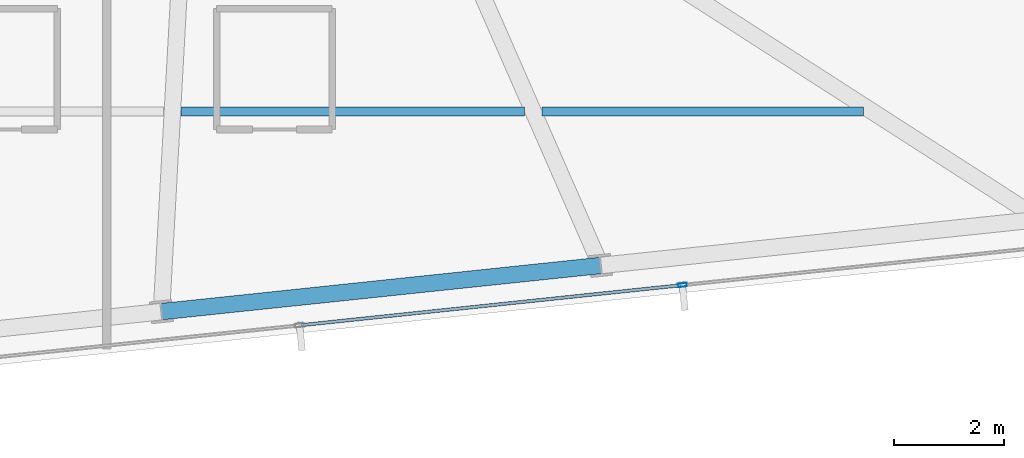
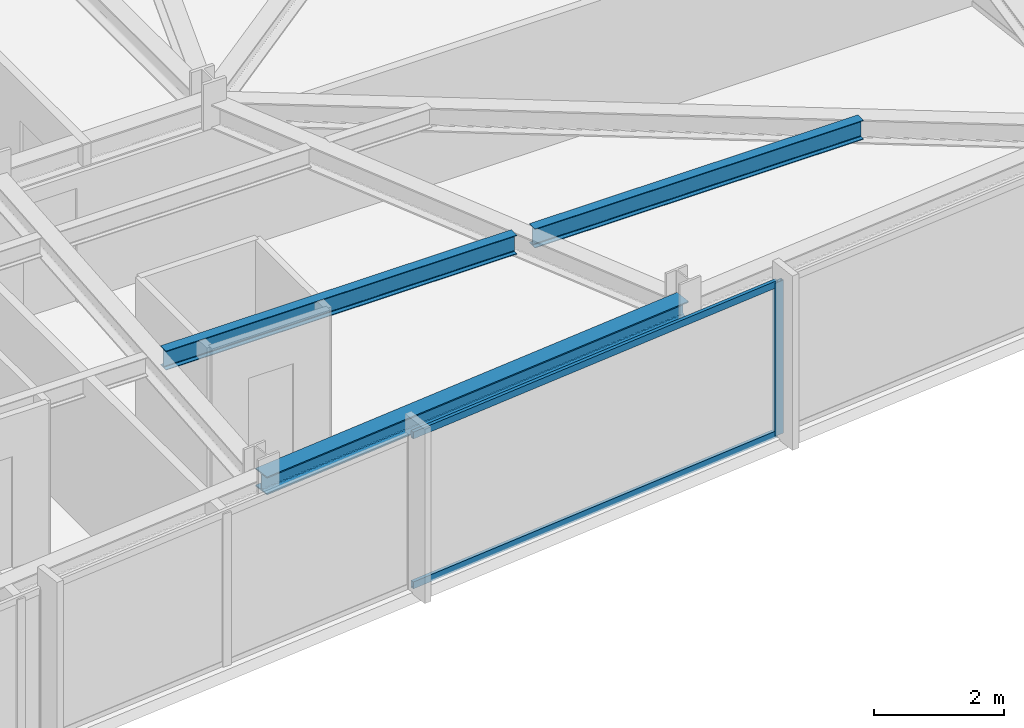
# One storey, part 15 of 33: 3 beams, 3 members, 1 element without a shape of its own.
"""IFC4 building model written with IfcOpenShell, lengths in metres."""

from ifc_helpers import new_model, si_unit, direction, frame, origin, origin_2d, place, context, subcontext, project, spatial, hollow_rectangle, i_section, extrude, material, material_profile, profile_set, type_object, element, aggregate, save


model = new_model("IFC4")

# Units and contexts
model_context = context("Model", 3, precision=1e-05, world=origin(), true_north=direction((0.0, 1.0)))
body_context = subcontext(model_context, "Body", "Model", "MODEL_VIEW")
ifc_project = project(units=[si_unit("LENGTHUNIT", "METRE"), si_unit("AREAUNIT", "SQUARE_METRE"), si_unit("VOLUMEUNIT", "CUBIC_METRE"), si_unit("PLANEANGLEUNIT", "RADIAN"), si_unit("MASSUNIT", "GRAM", prefix="KILO")], contexts=[model_context])

# Site, building, storey
site_placement = place(None, origin())
site = spatial("IfcSite", under=ifc_project, at=site_placement, CompositionType="ELEMENT")
building_placement = place(site_placement, origin())
building = spatial("IfcBuilding", under=site, at=building_placement, Name="Yelkora Congress Tower", CompositionType="ELEMENT")
storey_placement = place(building_placement, frame((0.0, 0.0, 244.10009765625)))
storey = spatial("IfcBuildingStorey", under=building, at=storey_placement, Name="L68", CompositionType="ELEMENT", Elevation=244.10009765625)

# Beams
ifc_material_1 = material(Name="Steel S355J2", Category="steel")
ifc_material_profile_1 = material_profile(ifc_material_1, i_section(OverallWidth=0.169921875, OverallDepth=0.360107421875, WebThickness=0.008056640625, FlangeThickness=0.0126953125, FilletRadius=0.01806640625, at=origin_2d()), Name="IPE 360")
ifc_profile_set_1 = profile_set([ifc_material_profile_1], Name="Steel S355J2")
beam_type_1 = type_object("IfcBeamType", Name="BM-JOIST-IPE360", PredefinedType="JOIST", material=ifc_profile_set_1)
beam_1_placement = place(storey_placement, frame((53.616455078125, 19.678466796875, 2.699951171875), z_axis=(1.0, 0.0, 0.0), x_axis=(0.0, 1.0, 0.0)))
element("IfcBeam", 1, at=beam_1_placement, inside=storey, type_object=beam_type_1, Name="L68 Composite Floor Joist 7", PredefinedType="JOIST", context=body_context, shape_type="SweptSolid", body=[
    extrude(i_section(OverallWidth=0.169921875, OverallDepth=0.360107421875, WebThickness=0.008056640625, FlangeThickness=0.0126953125, FilletRadius=0.01806640625, at=origin_2d()), origin(), (0.0, 0.0, 1.0), 6.2421875),
])
beam_2_placement = place(storey_placement, frame((60.1787109375, 19.678466796875, 2.699951171875), z_axis=(1.0, 0.0, 0.0), x_axis=(0.0, 1.0, 0.0)))
element("IfcBeam", 2, at=beam_2_placement, inside=storey, type_object=beam_type_1, Name="L68 Composite Floor Joist 8", PredefinedType="JOIST", context=body_context, shape_type="SweptSolid", body=[
    extrude(i_section(OverallWidth=0.169921875, OverallDepth=0.360107421875, WebThickness=0.008056640625, FlangeThickness=0.0126953125, FilletRadius=0.01806640625, at=origin_2d()), origin(), (0.0, 0.0, 1.0), 5.84619140625),
])
ifc_material_profile_2 = material_profile(ifc_material_1, i_section(OverallWidth=0.300048828125, OverallDepth=0.340087890625, WebThickness=0.011962890625, FlangeThickness=0.021484375, FilletRadius=0.027099609375, at=origin_2d()), Name="HEB 340")
ifc_profile_set_2 = profile_set([ifc_material_profile_2], Name="Steel S355J2")
beam_type_2 = type_object("IfcBeamType", Name="BM-SPAN-HEB340", PredefinedType="SPANDREL", material=ifc_profile_set_2)
beam_3_placement = place(storey_placement, frame((53.25634765625, 16.037353515625, 2.7099609375), z_axis=(0.994520097542, 0.104545567032, 0.0), x_axis=(-0.104545567032, 0.994520097542, 0.0)))
element("IfcBeam", 3, at=beam_3_placement, inside=storey, type_object=beam_type_2, Name="L68 Perimeter Beam 7", PredefinedType="SPANDREL", context=body_context, shape_type="SweptSolid", body=[
    extrude(i_section(OverallWidth=0.300048828125, OverallDepth=0.340087890625, WebThickness=0.011962890625, FlangeThickness=0.021484375, FilletRadius=0.027099609375, at=origin_2d()), origin(), (0.0, 0.0, 1.0), 8.033203125),
])

# Curtain wall, members
ifc_material_2 = material(Name="Anodised aluminium and insulated glass", Category="aluminium")
curtain_wall_type = type_object("IfcCurtainWallType", Name="CW-SYS-B4", PredefinedType="NOTDEFINED", material=ifc_material_2)
curtain_wall_placement = place(storey_placement, origin())
curtain_wall = element("IfcCurtainWall", 4, at=curtain_wall_placement, inside=storey, type_object=curtain_wall_type, Name="L68 Unitised Curtain Wall 20", PredefinedType="NOTDEFINED")
ifc_material_3 = material(Name="Anodised aluminium 6063-T6", Category="aluminium")
ifc_material_profile_3 = material_profile(ifc_material_3, hollow_rectangle(XDim=0.06494140625, YDim=0.159912109375, WallThickness=0.00390625, at=origin_2d()), Name="ALU 65x160x4")
ifc_profile_set_3 = profile_set([ifc_material_profile_3], Name="Anodised aluminium 6063-T6")
member_type_1 = type_object("IfcMemberType", Name="MEM-ML-B4", PredefinedType="MULLION", material=ifc_profile_set_3)
member_1_placement = place(storey_placement, frame((62.731689453125, 16.5205078125, 0.0), z_axis=(0.0, 0.0, 1.0), x_axis=(0.104526664994, -0.994522084373, 0.0)))
member_1 = element("IfcMember", 5, at=member_1_placement, type_object=member_type_1, Name="CW-B4 mullion 2", PredefinedType="MULLION", context=body_context, shape_type="SweptSolid", body=[
    extrude(hollow_rectangle(XDim=0.06494140625, YDim=0.159912109375, WallThickness=0.00390625, at=origin_2d()), origin(), (0.0, 0.0, 1.0), 2.8798828125),
])
ifc_material_profile_4 = material_profile(ifc_material_3, hollow_rectangle(XDim=0.06005859375, YDim=0.1298828125, WallThickness=0.00390625, at=origin_2d()), Name="ALU 60x130x4")
ifc_profile_set_4 = profile_set([ifc_material_profile_4], Name="Anodised aluminium 6063-T6")
member_type_2 = type_object("IfcMemberType", Name="MEM-TR-B4", PredefinedType="USERDEFINED", material=ifc_profile_set_4)
member_2_placement = place(storey_placement, frame((62.69921875, 16.51708984375, 0.02978515625), z_axis=(-0.994519904787, -0.104547400648, 0.0), x_axis=(0.104547400648, -0.994519904787, 0.0)))
member_2 = element("IfcMember", 6, at=member_2_placement, type_object=member_type_2, Name="CW-B4 transom 2.1", ObjectType="TRANSOM", PredefinedType="USERDEFINED", context=body_context, shape_type="SweptSolid", body=[
    extrude(hollow_rectangle(XDim=0.06005859375, YDim=0.1298828125, WallThickness=0.00390625, at=origin_2d()), origin(), (0.0, 0.0, 1.0), 6.93798828125),
])
member_3_placement = place(storey_placement, frame((62.69921875, 16.51708984375, 2.849853515625), z_axis=(-0.994519904787, -0.104547400648, 0.0), x_axis=(0.104547400648, -0.994519904787, 0.0)))
member_3 = element("IfcMember", 7, at=member_3_placement, type_object=member_type_2, Name="CW-B4 transom 2.2", ObjectType="TRANSOM", PredefinedType="USERDEFINED", context=body_context, shape_type="SweptSolid", body=[
    extrude(hollow_rectangle(XDim=0.06005859375, YDim=0.1298828125, WallThickness=0.00390625, at=origin_2d()), origin(), (0.0, 0.0, 1.0), 6.93798828125),
])
aggregate(curtain_wall, [member_1, member_2, member_3])

save(model, "model.ifc")
